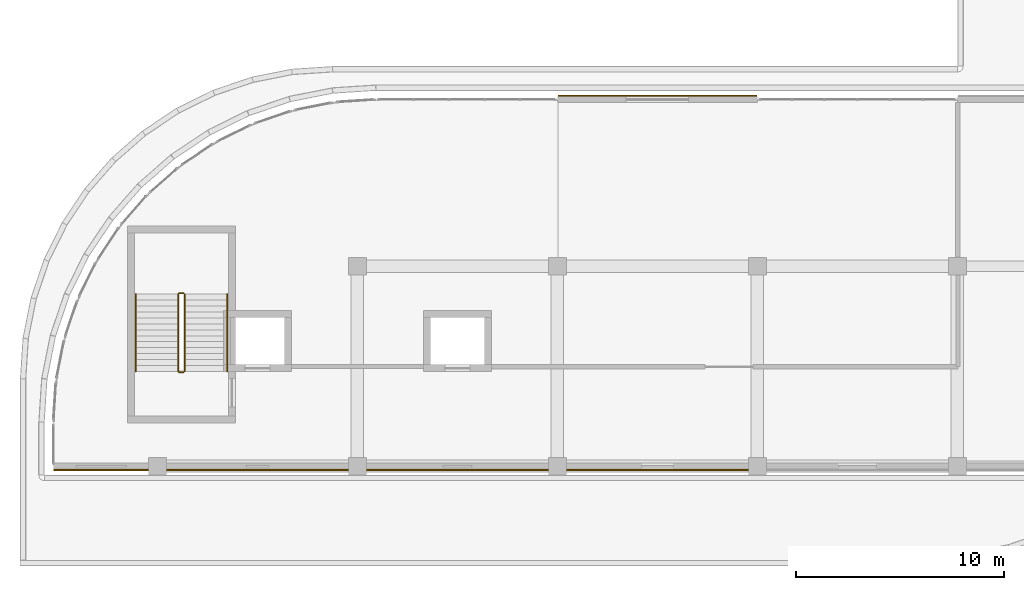
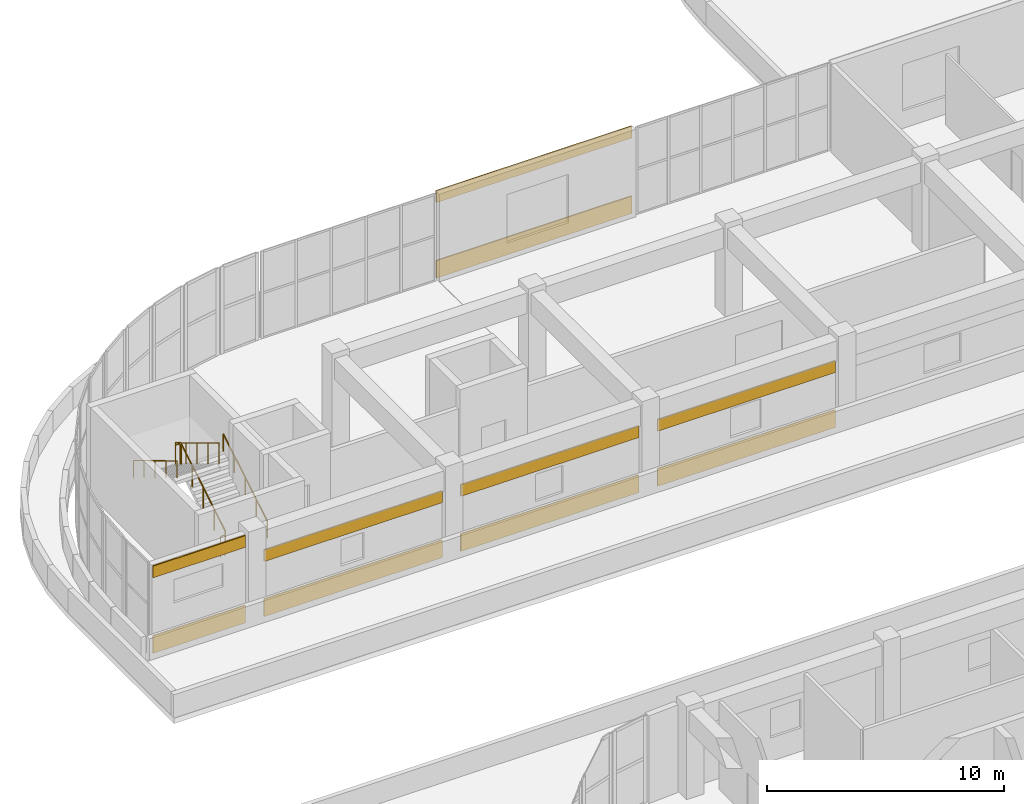
# One storey, part 61 of 67: 10 coverings, 6 railings.
"""IFC4 building model written with IfcOpenShell, lengths in metres."""

import ifcopenshell
import ifcopenshell.guid

model = None  # the IFC model being written
_history = None  # IfcOwnerHistory: only IFC2X3 demands one
_inside = {}  # id of a spatial element -> (the spatial element, [elements in it])
_under = {}  # id of a project, library or spatial element -> (it, [spatial elements below it])
_declared = {}  # id of a project -> (the project, [libraries it declares])
_typed = {}  # id of a type object -> (the type object, [elements of that type])
_made_of = {}  # id of a material, layer set ... -> (it, [elements and type objects made of it])


def new_model(schema):
    """Start an empty IFC model of exactly this schema.

    Asked for "IFC4X3", IfcOpenShell would pick the latest addendum, in which some entities
    have other attributes; the version numbers below select the first issue.
    IFC2X3 requires an IfcOwnerHistory on every rooted entity: one is made here for all.
    """
    global model, _history
    if schema == "IFC4X3":
        model = ifcopenshell.file(schema_version=(4, 3, 0, 0))
    else:
        model = ifcopenshell.file(schema=schema)
    _inside.clear()
    _under.clear()
    _declared.clear()
    _typed.clear()
    _made_of.clear()
    _history = None
    if model.schema == "IFC2X3":
        org = make("IfcOrganization", Name="unknown")
        user = make(
            "IfcPersonAndOrganization",
            ThePerson=make("IfcPerson", FamilyName="unknown"),
            TheOrganization=org,
        )
        app = make(
            "IfcApplication",
            ApplicationDeveloper=org,
            Version="unknown",
            ApplicationFullName="unknown",
            ApplicationIdentifier="unknown",
        )
        _history = make(
            "IfcOwnerHistory",
            OwningUser=user,
            OwningApplication=app,
            ChangeAction="ADDED",
            CreationDate=0,
        )
    return model


def make(cls, **values):
    """One entity of the class cls with the attributes given. An attribute that is None is left unset."""
    return model.create_entity(
        cls, **{name: value for name, value in values.items() if value is not None}
    )


def rooted(cls, **values):
    """An entity with a GlobalId (a new one), such as an element, a storey or a relation."""
    return make(cls, GlobalId=ifcopenshell.guid.new(), OwnerHistory=_history, **values)


def si_unit(unit_type, name, prefix=None):
    """IfcSIUnit, for example si_unit("LENGTHUNIT", "METRE", prefix="MILLI")."""
    return make("IfcSIUnit", UnitType=unit_type, Prefix=prefix, Name=name)


def assignment(units):
    """IfcUnitAssignment: the units of a project."""
    return None if units is None else make("IfcUnitAssignment", Units=units)


def point(xyz):
    """IfcCartesianPoint."""
    return None if xyz is None else make("IfcCartesianPoint", Coordinates=xyz)


def direction(xyz):
    """IfcDirection."""
    return None if xyz is None else make("IfcDirection", DirectionRatios=xyz)


def frame(location, z_axis=None, x_axis=None):
    """IfcAxis2Placement3D, a coordinate frame: its origin and axes. An axis left out is left unset."""
    return make(
        "IfcAxis2Placement3D",
        Location=point(location),
        Axis=direction(z_axis),
        RefDirection=direction(x_axis),
    )


def frame_2d(location, x_axis=None):
    """IfcAxis2Placement2D, a coordinate frame in the plane: its origin and x axis."""
    return make(
        "IfcAxis2Placement2D", Location=point(location), RefDirection=direction(x_axis)
    )


def origin():
    """The frame at (0, 0, 0) with its axes left unset."""
    return frame((0.0, 0.0, 0.0))


def origin_2d():
    """The frame at (0, 0) in the plane with its x axis left unset."""
    return frame_2d((0.0, 0.0))


def place(relative_to, where):
    """IfcLocalPlacement: puts the frame where relative to a parent placement (None: the world)."""
    return make(
        "IfcLocalPlacement", PlacementRelTo=relative_to, RelativePlacement=where
    )


def context(
    kind, dimensions, precision=None, world=None, true_north=None, identifier=None
):
    """IfcGeometricRepresentationContext, for example the 3D "Model" context."""
    return make(
        "IfcGeometricRepresentationContext",
        ContextIdentifier=identifier,
        ContextType=kind,
        CoordinateSpaceDimension=dimensions,
        Precision=precision,
        WorldCoordinateSystem=world,
        TrueNorth=true_north,
    )


def subcontext(parent, identifier, kind, view, scale=None):
    """IfcGeometricRepresentationSubContext, for example "Body" below "Model"."""
    return make(
        "IfcGeometricRepresentationSubContext",
        ContextIdentifier=identifier,
        ContextType=kind,
        ParentContext=parent,
        TargetScale=scale,
        TargetView=view,
    )


def project(units=None, contexts=None):
    """IfcProject with its units and contexts."""
    return rooted(
        "IfcProject",
        Name="project",
        RepresentationContexts=contexts,
        UnitsInContext=assignment(units),
    )


def spatial(cls, under=None, at=None, **own):
    """A site, building, storey or space (cls), placed at a placement, below another one or the project."""
    s = rooted(cls, ObjectPlacement=at, **own)
    if under is not None:
        _under.setdefault(under.id(), (under, []))[1].append(s)
    return s


def profile(cls, at=None, kind="AREA", **sizes):
    """A parametric profile (cls). Its sizes go by their IFC names, for example OverallWidth=200.0."""
    return make(cls, ProfileType=kind, Position=at, **sizes)


def rectangle(**sizes):
    """IfcRectangleProfileDef."""
    return profile("IfcRectangleProfileDef", **sizes)


def circle(**sizes):
    """IfcCircleProfileDef."""
    return profile("IfcCircleProfileDef", **sizes)


def extrude(swept, where, along, depth):
    """IfcExtrudedAreaSolid: the profile swept, set in the frame where, extruded along a direction by depth."""
    return make(
        "IfcExtrudedAreaSolid",
        SweptArea=swept,
        Position=where,
        ExtrudedDirection=direction(along),
        Depth=depth,
    )


def shape(context_of_items, identifier, shape_type, items):
    """IfcShapeRepresentation: the items that make up one representation, for example the "Body"."""
    return make(
        "IfcShapeRepresentation",
        ContextOfItems=context_of_items,
        RepresentationIdentifier=identifier,
        RepresentationType=shape_type,
        Items=items,
    )


def material(Name=None, Category=None):
    """IfcMaterial."""
    return make("IfcMaterial", Name=Name, Category=Category)


def layer(
    of_material, thickness, ventilated=None, Name=None, Category=None, Priority=None
):
    """IfcMaterialLayer: one layer of a wall or slab, of a material (None: an air gap)."""
    return make(
        "IfcMaterialLayer",
        Material=of_material,
        LayerThickness=thickness,
        IsVentilated=ventilated,
        Name=Name,
        Category=Category,
        Priority=Priority,
    )


def layer_set(layers, Name=None):
    """IfcMaterialLayerSet."""
    return make("IfcMaterialLayerSet", MaterialLayers=layers, LayerSetName=Name)


def made_of(thing, what):
    """Note that an element or type object is made of a material, layer set ...; save() writes the relation."""
    if what is not None:
        _made_of.setdefault(what.id(), (what, []))[1].append(thing)
    return thing


def type_object(cls, material=None, **own):
    """A type object (cls), such as IfcWallType, which elements share."""
    return made_of(rooted(cls, **own), material)


def element(
    cls,
    number,
    at=None,
    inside=None,
    cuts=None,
    type_object=None,
    material=None,
    context=None,
    identifier="Body",
    shape_type=None,
    held_by="IfcProductDefinitionShape",
    body=None,
    shapes=None,
    **own,
):
    """One element of the class cls, such as IfcWall. Its Tag is "e" and its number.

    at: its placement. inside: the storey or other place that contains it. cuts: it is an
    opening in that element (IfcRelVoidsElement). A single representation is given by context,
    identifier, shape_type and body (its items); several are given by shapes. held_by: the class
    of the entity that holds the representations. save() writes the other relations.
    """
    e = rooted(cls, Tag="e%d" % number, ObjectPlacement=at, **own)
    if body is not None:
        shapes = [shape(context, identifier, shape_type, body)]
    if shapes is not None:
        e.Representation = make(held_by, Representations=shapes)
    if inside is not None:
        _inside.setdefault(inside.id(), (inside, []))[1].append(e)
    if cuts is not None:
        rooted(
            "IfcRelVoidsElement", RelatingBuildingElement=cuts, RelatedOpeningElement=e
        )
    if type_object is not None:
        _typed.setdefault(type_object.id(), (type_object, []))[1].append(e)
    return made_of(e, material)


def aggregate(whole, parts):
    """IfcRelAggregates: a whole, such as a stair, and the parts it consists of."""
    return rooted("IfcRelAggregates", RelatingObject=whole, RelatedObjects=parts)


def save(model, path):
    """Write the relations noted so far, then the file.

    IfcRelAggregates (storeys below a building ...), IfcRelContainedInSpatialStructure (elements
    in a storey), IfcRelDefinesByType, IfcRelAssociatesMaterial and IfcRelDeclares: one each for
    every whole, place, type object, material and project.
    """
    for whole, parts in _under.values():
        aggregate(whole, parts)
    for where, things in _inside.values():
        rooted(
            "IfcRelContainedInSpatialStructure",
            RelatedElements=things,
            RelatingStructure=where,
        )
    for kind, things in _typed.values():
        rooted("IfcRelDefinesByType", RelatedObjects=things, RelatingType=kind)
    for what, things in _made_of.values():
        rooted("IfcRelAssociatesMaterial", RelatedObjects=things, RelatingMaterial=what)
    for by, libraries in _declared.values():
        rooted("IfcRelDeclares", RelatingContext=by, RelatedDefinitions=libraries)
    model.write(path)


model = new_model("IFC4")

# Units and contexts
model_context = context("Model", 3, precision=1e-05, world=origin(), true_north=direction((0.0, 1.0)))
body_context = subcontext(model_context, "Body", "Model", "MODEL_VIEW")
ifc_project = project(units=[si_unit("LENGTHUNIT", "METRE"), si_unit("AREAUNIT", "SQUARE_METRE"), si_unit("VOLUMEUNIT", "CUBIC_METRE"), si_unit("PLANEANGLEUNIT", "RADIAN"), si_unit("MASSUNIT", "GRAM", prefix="KILO")], contexts=[model_context])

# Site, building, storey
site_placement = place(None, origin())
site = spatial("IfcSite", under=ifc_project, at=site_placement, CompositionType="ELEMENT")
building_placement = place(site_placement, origin())
building = spatial("IfcBuilding", under=site, at=building_placement, Name="Cendralis Terraced Arcade", CompositionType="ELEMENT")
storey_placement = place(building_placement, frame((0.0, 0.0, 15.0)))
storey = spatial("IfcBuildingStorey", under=building, at=storey_placement, Name="L03", CompositionType="ELEMENT", Elevation=15.0)

# Coverings
ifc_material_1 = material(Name="Precast concrete f'c 40 MPa", Category="concrete")
ifc_layer = layer(ifc_material_1, 0.06494140625, Name="COV-CLAD-GRC-65")
ifc_layer_set = layer_set([ifc_layer], Name="Precast concrete f'c 40 MPa")
covering_type = type_object("IfcCoveringType", Name="COV-CLAD-GRC-65", PredefinedType="CLADDING", material=ifc_layer_set)
covering_1_placement = place(storey_placement, frame((33.60009765625, 87.3798828125, 0.0), z_axis=(0.0, 0.0, 1.0), x_axis=(1.0, 0.0, 0.0)))
element("IfcCovering", 1, at=covering_1_placement, inside=storey, type_object=covering_type, Name="Banded Precast Stone Spandrel Cladding L03-411", PredefinedType="CLADDING", context=body_context, shape_type="SweptSolid", body=[
    extrude(rectangle(XDim=9.5400390625, YDim=0.06494140625, at=origin_2d()), origin(), (0.0, 0.0, 1.0), 0.89990234375),
])
covering_2_placement = place(storey_placement, frame((33.60009765625, 87.3798828125, 3.89990234375), z_axis=(0.0, 0.0, 1.0), x_axis=(1.0, 0.0, 0.0)))
element("IfcCovering", 2, at=covering_2_placement, inside=storey, type_object=covering_type, Name="Banded Precast Stone Lintel Cladding L03-412", PredefinedType="CLADDING", context=body_context, shape_type="SweptSolid", body=[
    extrude(rectangle(XDim=9.5400390625, YDim=0.06494140625, at=origin_2d()), origin(), (0.0, 0.0, 1.0), 0.60009765625),
])
covering_3_placement = place(storey_placement, frame((33.60009765625, 69.419921875, 0.0), z_axis=(0.0, 0.0, 1.0), x_axis=(-1.0, 0.0, 0.0)))
element("IfcCovering", 3, at=covering_3_placement, inside=storey, type_object=covering_type, Name="Banded Precast Stone Spandrel Cladding L03-423", PredefinedType="CLADDING", context=body_context, shape_type="SweptSolid", body=[
    extrude(rectangle(XDim=8.694091796875, YDim=0.06494140625, at=origin_2d()), origin(), (0.0, 0.0, 1.0), 0.89990234375),
])
covering_4_placement = place(storey_placement, frame((33.60009765625, 69.419921875, 2.83984375), z_axis=(0.0, 0.0, 1.0), x_axis=(-1.0, 0.0, 0.0)))
element("IfcCovering", 4, at=covering_4_placement, inside=storey, type_object=covering_type, Name="Banded Precast Stone Lintel Cladding L03-424", PredefinedType="CLADDING", context=body_context, shape_type="SweptSolid", body=[
    extrude(rectangle(XDim=8.694091796875, YDim=0.06494140625, at=origin_2d()), origin(), (0.0, 0.0, 1.0), 0.60009765625),
])
covering_5_placement = place(storey_placement, frame((24.0, 69.419921875, 0.0), z_axis=(0.0, 0.0, 1.0), x_axis=(-1.0, 0.0, 0.0)))
element("IfcCovering", 5, at=covering_5_placement, inside=storey, type_object=covering_type, Name="Banded Precast Stone Spandrel Cladding L03-425", PredefinedType="CLADDING", context=body_context, shape_type="SweptSolid", body=[
    extrude(rectangle(XDim=8.694091796875, YDim=0.06494140625, at=origin_2d()), origin(), (0.0, 0.0, 1.0), 0.89990234375),
])
covering_6_placement = place(storey_placement, frame((24.0, 69.419921875, 2.83984375), z_axis=(0.0, 0.0, 1.0), x_axis=(-1.0, 0.0, 0.0)))
element("IfcCovering", 6, at=covering_6_placement, inside=storey, type_object=covering_type, Name="Banded Precast Stone Lintel Cladding L03-426", PredefinedType="CLADDING", context=body_context, shape_type="SweptSolid", body=[
    extrude(rectangle(XDim=8.694091796875, YDim=0.06494140625, at=origin_2d()), origin(), (0.0, 0.0, 1.0), 0.60009765625),
])
covering_7_placement = place(storey_placement, frame((14.39990234375, 69.419921875, 0.0), z_axis=(0.0, 0.0, 1.0), x_axis=(-1.0, 0.0, 0.0)))
element("IfcCovering", 7, at=covering_7_placement, inside=storey, type_object=covering_type, Name="Banded Precast Stone Spandrel Cladding L03-427", PredefinedType="CLADDING", context=body_context, shape_type="SweptSolid", body=[
    extrude(rectangle(XDim=8.694091796875, YDim=0.06494140625, at=origin_2d()), origin(), (0.0, 0.0, 1.0), 0.89990234375),
])
covering_8_placement = place(storey_placement, frame((14.39990234375, 69.419921875, 2.83984375), z_axis=(0.0, 0.0, 1.0), x_axis=(-1.0, 0.0, 0.0)))
element("IfcCovering", 8, at=covering_8_placement, inside=storey, type_object=covering_type, Name="Banded Precast Stone Lintel Cladding L03-428", PredefinedType="CLADDING", context=body_context, shape_type="SweptSolid", body=[
    extrude(rectangle(XDim=8.694091796875, YDim=0.06494140625, at=origin_2d()), origin(), (0.0, 0.0, 1.0), 0.60009765625),
])
covering_9_placement = place(storey_placement, frame((6.888427734375, 69.419921875, 0.0), z_axis=(0.0, 0.0, 1.0), x_axis=(-1.0, 0.0, 0.0)))
element("IfcCovering", 9, at=covering_9_placement, inside=storey, type_object=covering_type, Name="Banded Precast Stone Spandrel Cladding L03-429", PredefinedType="CLADDING", context=body_context, shape_type="SweptSolid", body=[
    extrude(rectangle(XDim=4.51708984375, YDim=0.06494140625, at=origin_2d()), origin(), (0.0, 0.0, 1.0), 0.89990234375),
])
covering_10_placement = place(storey_placement, frame((6.888427734375, 69.419921875, 3.89990234375), z_axis=(0.0, 0.0, 1.0), x_axis=(-1.0, 0.0, 0.0)))
element("IfcCovering", 10, at=covering_10_placement, inside=storey, type_object=covering_type, Name="Banded Precast Stone Lintel Cladding L03-430", PredefinedType="CLADDING", context=body_context, shape_type="SweptSolid", body=[
    extrude(rectangle(XDim=4.51708984375, YDim=0.06494140625, at=origin_2d()), origin(), (0.0, 0.0, 1.0), 0.60009765625),
])

# Railings
ifc_material_2 = material(Name="Brushed stainless steel AISI 316", Category="steel")
railing_type_1 = type_object("IfcRailingType", Name="RL-STAIR-GUARD-1100", PredefinedType="GUARDRAIL", material=ifc_material_2)
railing_1_placement = place(storey_placement, frame((10.89990234375, 74.14990234375, 0.17138671875)))
element("IfcRailing", 11, at=railing_1_placement, inside=storey, type_object=railing_type_1, Name="L03 ST-07 stair guard 1", PredefinedType="GUARDRAIL", context=body_context, shape_type="SweptSolid", body=[
    extrude(circle(Radius=0.02392578125, at=origin_2d()), frame((0.0, 0.0, 1.076171875), z_axis=(0.0, 0.856934400257, 0.515425487977), x_axis=(-1.0, 0.0, 0.0)), (0.0, 0.0, 1.0), 4.32373046875),
    extrude(circle(Radius=0.02099609375, at=origin_2d()), origin(), (0.0, 0.0, 1.0), 1.052001953125),
    extrude(circle(Radius=0.02099609375, at=origin_2d()), frame((0.0, 0.92626953125, 0.55712890625)), (0.0, 0.0, 1.0), 1.052001953125),
    extrude(circle(Radius=0.02099609375, at=origin_2d()), frame((0.0, 1.8525390625, 1.1142578125)), (0.0, 0.0, 1.0), 1.052001953125),
    extrude(circle(Radius=0.02099609375, at=origin_2d()), frame((0.0, 2.77880859375, 1.67138671875)), (0.0, 0.0, 1.0), 1.052001953125),
    extrude(circle(Radius=0.02099609375, at=origin_2d()), frame((0.0, 3.705078125, 2.228515625)), (0.0, 0.0, 1.0), 1.052001953125),
])
railing_2_placement = place(storey_placement, frame((10.85009765625, 77.905029296875, 2.39990234375)))
element("IfcRailing", 12, at=railing_2_placement, inside=storey, type_object=railing_type_1, Name="L03 ST-07 stair guard 2", PredefinedType="GUARDRAIL", context=body_context, shape_type="SweptSolid", body=[
    extrude(circle(Radius=0.02392578125, at=origin_2d()), frame((0.0, 0.0, 1.076171875), z_axis=(-1.0, 0.0, 0.0), x_axis=(0.0, -1.0, 0.0)), (0.0, 0.0, 1.0), 0.2001953125),
    extrude(circle(Radius=0.02099609375, at=origin_2d()), origin(), (0.0, 0.0, 1.0), 1.052001953125),
    extrude(circle(Radius=0.02099609375, at=origin_2d()), frame((-0.2001953125, 0.0, 0.0)), (0.0, 0.0, 1.0), 1.052001953125),
])
railing_3_placement = place(storey_placement, frame((10.60009765625, 77.85498046875, 2.571533203125)))
element("IfcRailing", 13, at=railing_3_placement, inside=storey, type_object=railing_type_1, Name="L03 ST-07 stair guard 3", PredefinedType="GUARDRAIL", context=body_context, shape_type="SweptSolid", body=[
    extrude(circle(Radius=0.02392578125, at=origin_2d()), frame((0.0, 0.0, 1.076171875), z_axis=(0.0, -0.856934400257, 0.515425487977), x_axis=(1.0, 0.0, 0.0)), (0.0, 0.0, 1.0), 4.32373046875),
    extrude(circle(Radius=0.02099609375, at=origin_2d()), origin(), (0.0, 0.0, 1.0), 1.052001953125),
    extrude(circle(Radius=0.02099609375, at=origin_2d()), frame((0.0, -0.92626953125, 0.55712890625)), (0.0, 0.0, 1.0), 1.052001953125),
    extrude(circle(Radius=0.02099609375, at=origin_2d()), frame((0.0, -1.8525390625, 1.1142578125)), (0.0, 0.0, 1.0), 1.052001953125),
    extrude(circle(Radius=0.02099609375, at=origin_2d()), frame((0.0, -2.77880859375, 1.67138671875)), (0.0, 0.0, 1.0), 1.052001953125),
    extrude(circle(Radius=0.02099609375, at=origin_2d()), frame((0.0, -3.705078125, 2.228515625)), (0.0, 0.0, 1.0), 1.052001953125),
])
railing_4_placement = place(storey_placement, frame((10.85009765625, 74.10009765625, 0.0)))
element("IfcRailing", 14, at=railing_4_placement, inside=storey, type_object=railing_type_1, Name="L03 ST-07 stair guard 4", PredefinedType="GUARDRAIL", context=body_context, shape_type="SweptSolid", body=[
    extrude(circle(Radius=0.02392578125, at=origin_2d()), frame((0.0, 0.0, 1.076171875), z_axis=(-1.0, 0.0, 0.0), x_axis=(0.0, -1.0, 0.0)), (0.0, 0.0, 1.0), 0.2001953125),
    extrude(circle(Radius=0.02099609375, at=origin_2d()), origin(), (0.0, 0.0, 1.0), 1.052001953125),
    extrude(circle(Radius=0.02099609375, at=origin_2d()), frame((-0.2001953125, 0.0, 0.0)), (0.0, 0.0, 1.0), 1.052001953125),
])
railing_type_2 = type_object("IfcRailingType", Name="RL-STAIR-HAND-900", PredefinedType="HANDRAIL", material=ifc_material_2)
railing_5_placement = place(storey_placement, frame((12.949951171875, 74.14990234375, 0.17138671875)))
element("IfcRailing", 15, at=railing_5_placement, inside=storey, type_object=railing_type_2, Name="L03 ST-07 stair handrail 1", PredefinedType="HANDRAIL", context=body_context, shape_type="SweptSolid", body=[
    extrude(circle(Radius=0.02392578125, at=origin_2d()), frame((0.0, 0.0, 0.8759765625), z_axis=(0.0, 0.856934400257, 0.515425487977), x_axis=(-1.0, 0.0, 0.0)), (0.0, 0.0, 1.0), 4.32373046875),
    extrude(circle(Radius=0.02099609375, at=origin_2d()), origin(), (0.0, 0.0, 1.0), 0.851806640625),
    extrude(circle(Radius=0.02099609375, at=origin_2d()), frame((0.0, 0.92626953125, 0.55712890625)), (0.0, 0.0, 1.0), 0.851806640625),
    extrude(circle(Radius=0.02099609375, at=origin_2d()), frame((0.0, 1.8525390625, 1.1142578125)), (0.0, 0.0, 1.0), 0.851806640625),
    extrude(circle(Radius=0.02099609375, at=origin_2d()), frame((0.0, 2.77880859375, 1.67138671875)), (0.0, 0.0, 1.0), 0.851806640625),
    extrude(circle(Radius=0.02099609375, at=origin_2d()), frame((0.0, 3.705078125, 2.228515625)), (0.0, 0.0, 1.0), 0.851806640625),
])
railing_6_placement = place(storey_placement, frame((8.550048828125, 77.85498046875, 2.571533203125)))
element("IfcRailing", 16, at=railing_6_placement, inside=storey, type_object=railing_type_2, Name="L03 ST-07 stair handrail 2", PredefinedType="HANDRAIL", context=body_context, shape_type="SweptSolid", body=[
    extrude(circle(Radius=0.02392578125, at=origin_2d()), frame((0.0, 0.0, 0.8759765625), z_axis=(0.0, -0.856934400257, 0.515425487977), x_axis=(1.0, 0.0, 0.0)), (0.0, 0.0, 1.0), 4.32373046875),
    extrude(circle(Radius=0.02099609375, at=origin_2d()), origin(), (0.0, 0.0, 1.0), 0.851806640625),
    extrude(circle(Radius=0.02099609375, at=origin_2d()), frame((0.0, -0.92626953125, 0.55712890625)), (0.0, 0.0, 1.0), 0.851806640625),
    extrude(circle(Radius=0.02099609375, at=origin_2d()), frame((0.0, -1.8525390625, 1.1142578125)), (0.0, 0.0, 1.0), 0.851806640625),
    extrude(circle(Radius=0.02099609375, at=origin_2d()), frame((0.0, -2.77880859375, 1.67138671875)), (0.0, 0.0, 1.0), 0.851806640625),
    extrude(circle(Radius=0.02099609375, at=origin_2d()), frame((0.0, -3.705078125, 2.228515625)), (0.0, 0.0, 1.0), 0.851806640625),
])

save(model, "model.ifc")
